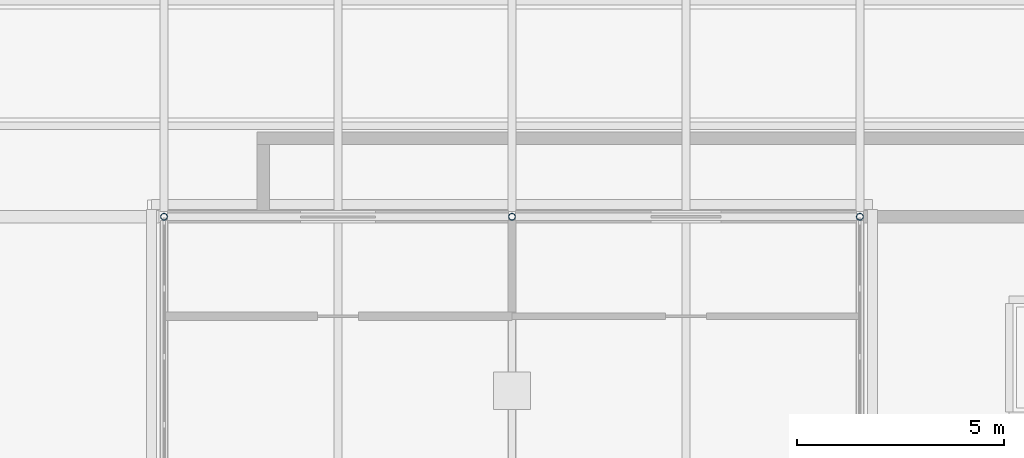
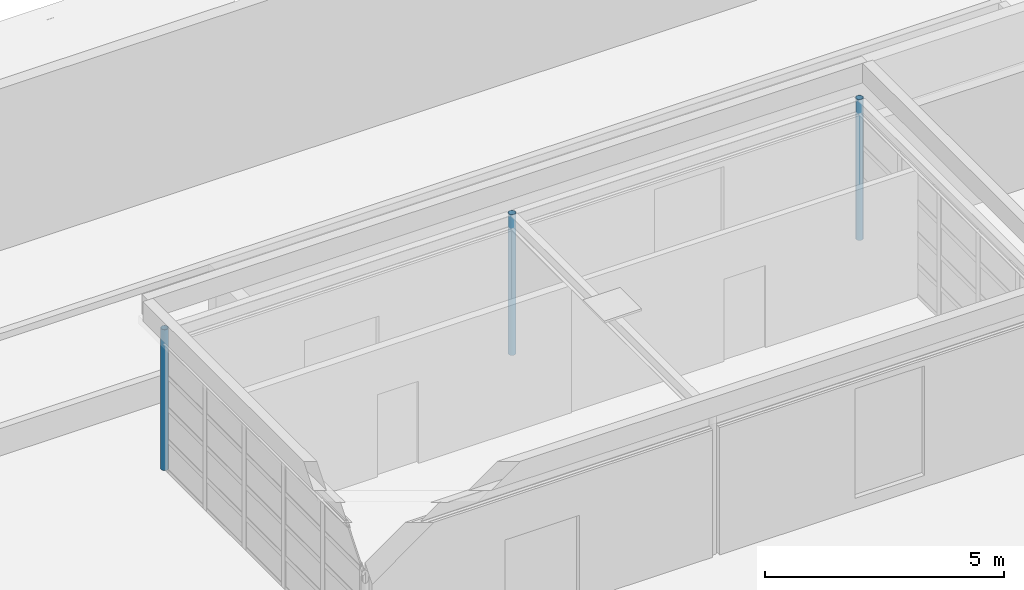
# One storey, part 6 of 51: 3 columns.
"""IFC4 building model written with IfcOpenShell, lengths in metres."""

from ifc_helpers import new_model, si_unit, direction, frame, origin, origin_2d, place, context, subcontext, project, spatial, hollow_circle, extrude, material, material_profile, profile_set, type_object, element, save


model = new_model("IFC4")

# Units and contexts
model_context = context("Model", 3, precision=1e-05, world=origin(), true_north=direction((0.0, 1.0)))
body_context = subcontext(model_context, "Body", "Model", "MODEL_VIEW")
ifc_project = project(units=[si_unit("LENGTHUNIT", "METRE"), si_unit("AREAUNIT", "SQUARE_METRE"), si_unit("VOLUMEUNIT", "CUBIC_METRE"), si_unit("PLANEANGLEUNIT", "RADIAN"), si_unit("MASSUNIT", "GRAM", prefix="KILO")], contexts=[model_context])

# Site, building, storey
site_placement = place(None, origin())
site = spatial("IfcSite", under=ifc_project, at=site_placement, CompositionType="ELEMENT")
building_placement = place(site_placement, origin())
building = spatial("IfcBuilding", under=site, at=building_placement, Name="Cresset Court Congress Hotel", CompositionType="ELEMENT")
storey_placement = place(building_placement, frame((0.0, 0.0, 18.60009765625)))
storey = spatial("IfcBuildingStorey", under=building, at=storey_placement, Name="L04", CompositionType="ELEMENT", Elevation=18.60009765625)

# Columns
ifc_material = material(Name="Structural steel Q355B", Category="steel")
ifc_material_profile = material_profile(ifc_material, hollow_circle(Radius=0.083984375, WallThickness=0.008056640625, at=origin_2d()), Name="CHS168x8")
ifc_profile_set = profile_set([ifc_material_profile], Name="Structural steel Q355B")
column_type = type_object("IfcColumnType", Name="Steel column CHS168x8", PredefinedType="COLUMN", material=ifc_profile_set)
for number, where, z_axis, x_axis, name in (
    (1, (75.60009765625, 16.800048828125, 0.0), (0.0, 0.0, 1.0), (1.0, 0.0, 0.0), "Pavilion column"),
    (2, (84.0, 16.800048828125, 0.0), (0.0, 0.0, 1.0), (1.0, 0.0, 0.0), "Pavilion column"),
    (3, (92.39990234375, 16.800048828125, 0.0), (0.0, 0.0, 1.0), (1.0, 0.0, 0.0), "Pavilion column"),
):
    element("IfcColumn", number, at=place(storey_placement, frame(where, z_axis=z_axis, x_axis=x_axis)), inside=storey, type_object=column_type, Name=name, PredefinedType="COLUMN", context=body_context, shape_type="SweptSolid", body=[
        extrude(hollow_circle(Radius=0.083984375, WallThickness=0.008056640625, at=origin_2d()), origin(), (0.0, 0.0, 1.0), 3.599853515625),
    ])

save(model, "model.ifc")
